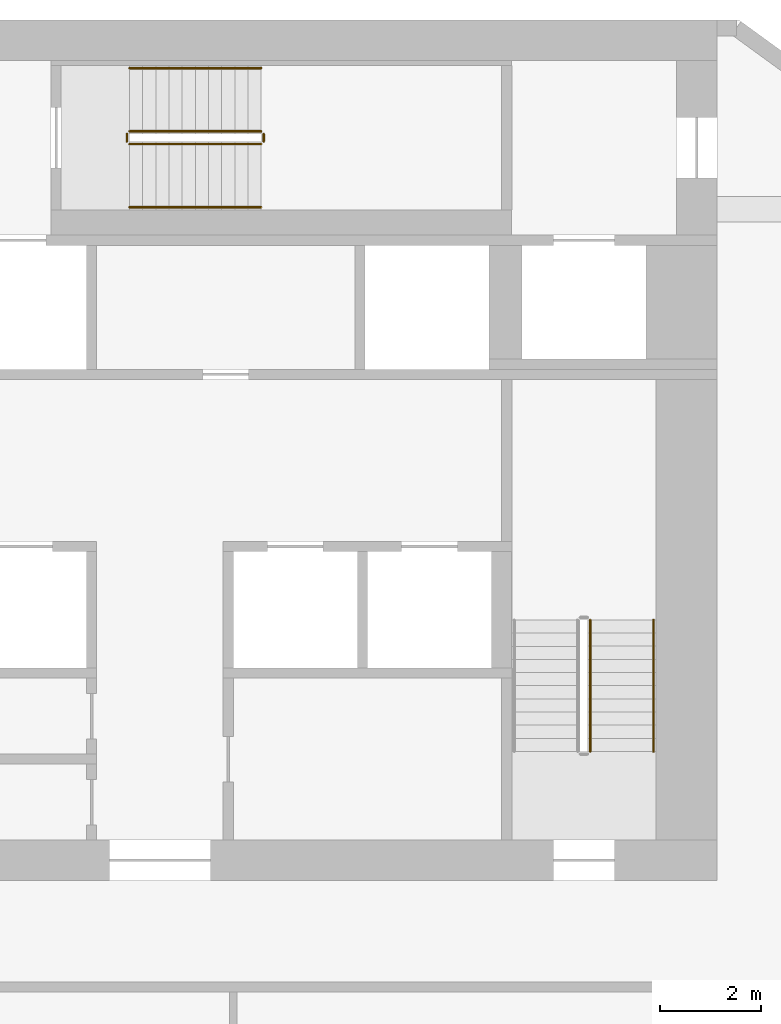
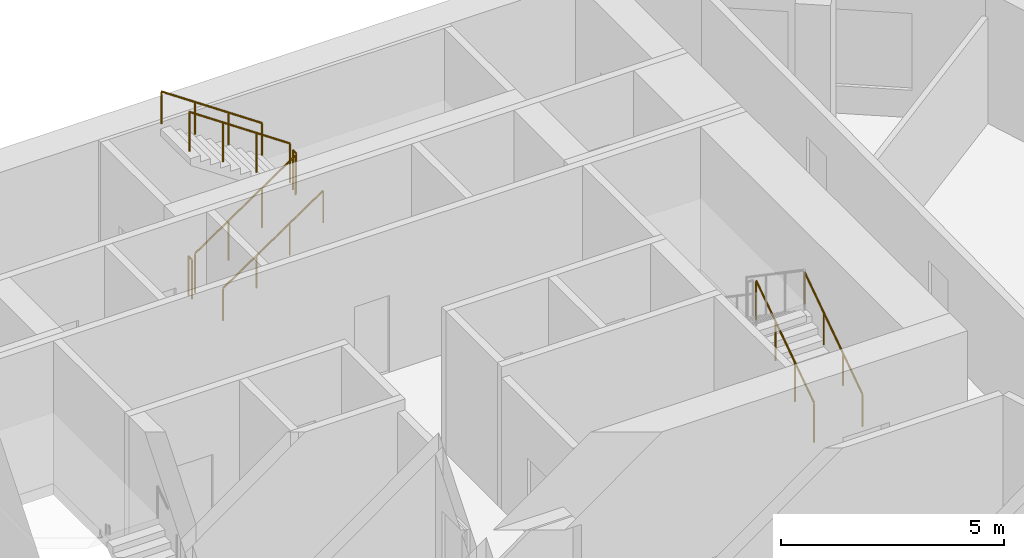
# One storey, part 9 of 9: 8 railings.
"""IFC4 building model written with IfcOpenShell, lengths in metres."""

from ifc_helpers import new_model, si_unit, direction, frame, origin, origin_2d, place, context, subcontext, project, spatial, circle, extrude, material, type_object, element, save


model = new_model("IFC4")

# Units and contexts
model_context = context("Model", 3, precision=1e-05, world=origin(), true_north=direction((0.0, 1.0)))
body_context = subcontext(model_context, "Body", "Model", "MODEL_VIEW")
ifc_project = project(units=[si_unit("LENGTHUNIT", "METRE"), si_unit("AREAUNIT", "SQUARE_METRE"), si_unit("VOLUMEUNIT", "CUBIC_METRE"), si_unit("PLANEANGLEUNIT", "RADIAN"), si_unit("MASSUNIT", "GRAM", prefix="KILO")], contexts=[model_context])

# Site, building, storey
site_placement = place(None, origin())
site = spatial("IfcSite", under=ifc_project, at=site_placement, CompositionType="ELEMENT")
building_placement = place(site_placement, origin())
building = spatial("IfcBuilding", under=site, at=building_placement, Name="White Candle Pilgrim Tower", CompositionType="ELEMENT")
storey_placement = place(building_placement, frame((0.0, 0.0, 200.39990234375)))
storey = spatial("IfcBuildingStorey", under=building, at=storey_placement, Name="L46", CompositionType="ELEMENT", Elevation=200.39990234375)

# Railings
ifc_material = material(Name="Stainless steel", Category="steel")
railing_type_1 = type_object("IfcRailingType", Name="Stair guard stainless steel 1100 mm", PredefinedType="GUARDRAIL", material=ifc_material)
railing_1_placement = place(storey_placement, frame((78.5, 73.550048828125, 0.177490234375)))
element("IfcRailing", 1, at=railing_1_placement, inside=storey, type_object=railing_type_1, Name="L46 ST2 stair guard 1", PredefinedType="GUARDRAIL", context=body_context, shape_type="SweptSolid", body=[
    extrude(circle(Radius=0.02392578125, at=origin_2d()), frame((0.0, 0.0, 1.076171875), z_axis=(0.0, 0.826215852431, 0.563353676824), x_axis=(-1.0, 0.0, 0.0)), (0.0, 0.0, 1.0), 3.146728515625),
    extrude(circle(Radius=0.02099609375, at=origin_2d()), origin(), (0.0, 0.0, 1.0), 1.052001953125),
    extrude(circle(Radius=0.02099609375, at=origin_2d()), frame((0.0, 0.86669921875, 0.5908203125)), (0.0, 0.0, 1.0), 1.052001953125),
    extrude(circle(Radius=0.02099609375, at=origin_2d()), frame((0.0, 1.733154296875, 1.181884765625)), (0.0, 0.0, 1.0), 1.052001953125),
    extrude(circle(Radius=0.02099609375, at=origin_2d()), frame((0.0, 2.599853515625, 1.772705078125)), (0.0, 0.0, 1.0), 1.052001953125),
])
railing_2_placement = place(storey_placement, frame((69.39990234375, 85.550048828125, 0.177490234375)))
element("IfcRailing", 2, at=railing_2_placement, inside=storey, type_object=railing_type_1, Name="L46 ST3 stair guard 1", PredefinedType="GUARDRAIL", context=body_context, shape_type="SweptSolid", body=[
    extrude(circle(Radius=0.02392578125, at=origin_2d()), frame((0.0, 0.0, 1.076171875), z_axis=(0.826240473404, 0.0, 0.563317565952), x_axis=(0.0, 1.0, 0.0)), (0.0, 0.0, 1.0), 3.14697265625),
    extrude(circle(Radius=0.02099609375, at=origin_2d()), origin(), (0.0, 0.0, 1.0), 1.052001953125),
    extrude(circle(Radius=0.02099609375, at=origin_2d()), frame((0.86669921875, 0.0, 0.5908203125)), (0.0, 0.0, 1.0), 1.052001953125),
    extrude(circle(Radius=0.02099609375, at=origin_2d()), frame((1.7333984375, 0.0, 1.181884765625)), (0.0, 0.0, 1.0), 1.052001953125),
    extrude(circle(Radius=0.02099609375, at=origin_2d()), frame((2.60009765625, 0.0, 1.772705078125)), (0.0, 0.0, 1.0), 1.052001953125),
])
railing_3_placement = place(storey_placement, frame((72.050048828125, 85.60009765625, 1.9501953125)))
element("IfcRailing", 3, at=railing_3_placement, inside=storey, type_object=railing_type_1, Name="L46 ST3 stair guard 2", PredefinedType="GUARDRAIL", context=body_context, shape_type="SweptSolid", body=[
    extrude(circle(Radius=0.02392578125, at=origin_2d()), frame((0.0, 0.0, 1.076171875), z_axis=(0.0, 1.0, 0.0), x_axis=(-1.0, 0.0, 0.0)), (0.0, 0.0, 1.0), 0.14990234375),
    extrude(circle(Radius=0.02099609375, at=origin_2d()), origin(), (0.0, 0.0, 1.0), 1.052001953125),
    extrude(circle(Radius=0.02099609375, at=origin_2d()), frame((0.0, 0.14990234375, 0.0)), (0.0, 0.0, 1.0), 1.052001953125),
])
railing_4_placement = place(storey_placement, frame((72.0, 85.800048828125, 2.12744140625)))
element("IfcRailing", 4, at=railing_4_placement, inside=storey, type_object=railing_type_1, Name="L46 ST3 stair guard 3", PredefinedType="GUARDRAIL", context=body_context, shape_type="SweptSolid", body=[
    extrude(circle(Radius=0.02392578125, at=origin_2d()), frame((0.0, 0.0, 1.076171875), z_axis=(-0.826240473404, 0.0, 0.563317565952), x_axis=(0.0, -1.0, 0.0)), (0.0, 0.0, 1.0), 3.14697265625),
    extrude(circle(Radius=0.02099609375, at=origin_2d()), origin(), (0.0, 0.0, 1.0), 1.052001953125),
    extrude(circle(Radius=0.02099609375, at=origin_2d()), frame((-0.86669921875, 0.0, 0.5908203125)), (0.0, 0.0, 1.0), 1.052001953125),
    extrude(circle(Radius=0.02099609375, at=origin_2d()), frame((-1.7333984375, 0.0, 1.181884765625)), (0.0, 0.0, 1.0), 1.052001953125),
    extrude(circle(Radius=0.02099609375, at=origin_2d()), frame((-2.60009765625, 0.0, 1.772705078125)), (0.0, 0.0, 1.0), 1.052001953125),
])
railing_5_placement = place(storey_placement, frame((69.35009765625, 85.60009765625, 0.0)))
element("IfcRailing", 5, at=railing_5_placement, inside=storey, type_object=railing_type_1, Name="L46 ST3 stair guard 4", PredefinedType="GUARDRAIL", context=body_context, shape_type="SweptSolid", body=[
    extrude(circle(Radius=0.02392578125, at=origin_2d()), frame((0.0, 0.0, 1.076171875), z_axis=(0.0, 1.0, 0.0), x_axis=(-1.0, 0.0, 0.0)), (0.0, 0.0, 1.0), 0.14990234375),
    extrude(circle(Radius=0.02099609375, at=origin_2d()), origin(), (0.0, 0.0, 1.0), 1.052001953125),
    extrude(circle(Radius=0.02099609375, at=origin_2d()), frame((0.0, 0.14990234375, 0.0)), (0.0, 0.0, 1.0), 1.052001953125),
])
railing_type_2 = type_object("IfcRailingType", Name="Stair handrail stainless steel", PredefinedType="HANDRAIL", material=ifc_material)
railing_6_placement = place(storey_placement, frame((79.75, 73.550048828125, 0.177490234375)))
element("IfcRailing", 6, at=railing_6_placement, inside=storey, type_object=railing_type_2, Name="L46 ST2 stair handrail 1", PredefinedType="HANDRAIL", context=body_context, shape_type="SweptSolid", body=[
    extrude(circle(Radius=0.02392578125, at=origin_2d()), frame((0.0, 0.0, 0.8759765625), z_axis=(0.0, 0.826215852431, 0.563353676824), x_axis=(-1.0, 0.0, 0.0)), (0.0, 0.0, 1.0), 3.146728515625),
    extrude(circle(Radius=0.02099609375, at=origin_2d()), origin(), (0.0, 0.0, 1.0), 0.851806640625),
    extrude(circle(Radius=0.02099609375, at=origin_2d()), frame((0.0, 0.86669921875, 0.5908203125)), (0.0, 0.0, 1.0), 0.851806640625),
    extrude(circle(Radius=0.02099609375, at=origin_2d()), frame((0.0, 1.733154296875, 1.181884765625)), (0.0, 0.0, 1.0), 0.851806640625),
    extrude(circle(Radius=0.02099609375, at=origin_2d()), frame((0.0, 2.599853515625, 1.772705078125)), (0.0, 0.0, 1.0), 0.851806640625),
])
railing_7_placement = place(storey_placement, frame((69.39990234375, 84.300048828125, 0.177490234375)))
element("IfcRailing", 7, at=railing_7_placement, inside=storey, type_object=railing_type_2, Name="L46 ST3 stair handrail 1", PredefinedType="HANDRAIL", context=body_context, shape_type="SweptSolid", body=[
    extrude(circle(Radius=0.02392578125, at=origin_2d()), frame((0.0, 0.0, 0.8759765625), z_axis=(0.826240473404, 0.0, 0.563317565952), x_axis=(0.0, 1.0, 0.0)), (0.0, 0.0, 1.0), 3.14697265625),
    extrude(circle(Radius=0.02099609375, at=origin_2d()), origin(), (0.0, 0.0, 1.0), 0.851806640625),
    extrude(circle(Radius=0.02099609375, at=origin_2d()), frame((0.86669921875, 0.0, 0.5908203125)), (0.0, 0.0, 1.0), 0.851806640625),
    extrude(circle(Radius=0.02099609375, at=origin_2d()), frame((1.7333984375, 0.0, 1.181884765625)), (0.0, 0.0, 1.0), 0.851806640625),
    extrude(circle(Radius=0.02099609375, at=origin_2d()), frame((2.60009765625, 0.0, 1.772705078125)), (0.0, 0.0, 1.0), 0.851806640625),
])
railing_8_placement = place(storey_placement, frame((72.0, 87.050048828125, 2.12744140625)))
element("IfcRailing", 8, at=railing_8_placement, inside=storey, type_object=railing_type_2, Name="L46 ST3 stair handrail 2", PredefinedType="HANDRAIL", context=body_context, shape_type="SweptSolid", body=[
    extrude(circle(Radius=0.02392578125, at=origin_2d()), frame((0.0, 0.0, 0.8759765625), z_axis=(-0.826240473404, 0.0, 0.563317565952), x_axis=(0.0, -1.0, 0.0)), (0.0, 0.0, 1.0), 3.14697265625),
    extrude(circle(Radius=0.02099609375, at=origin_2d()), origin(), (0.0, 0.0, 1.0), 0.851806640625),
    extrude(circle(Radius=0.02099609375, at=origin_2d()), frame((-0.86669921875, 0.0, 0.5908203125)), (0.0, 0.0, 1.0), 0.851806640625),
    extrude(circle(Radius=0.02099609375, at=origin_2d()), frame((-1.7333984375, 0.0, 1.181884765625)), (0.0, 0.0, 1.0), 0.851806640625),
    extrude(circle(Radius=0.02099609375, at=origin_2d()), frame((-2.60009765625, 0.0, 1.772705078125)), (0.0, 0.0, 1.0), 0.851806640625),
])

save(model, "model.ifc")
